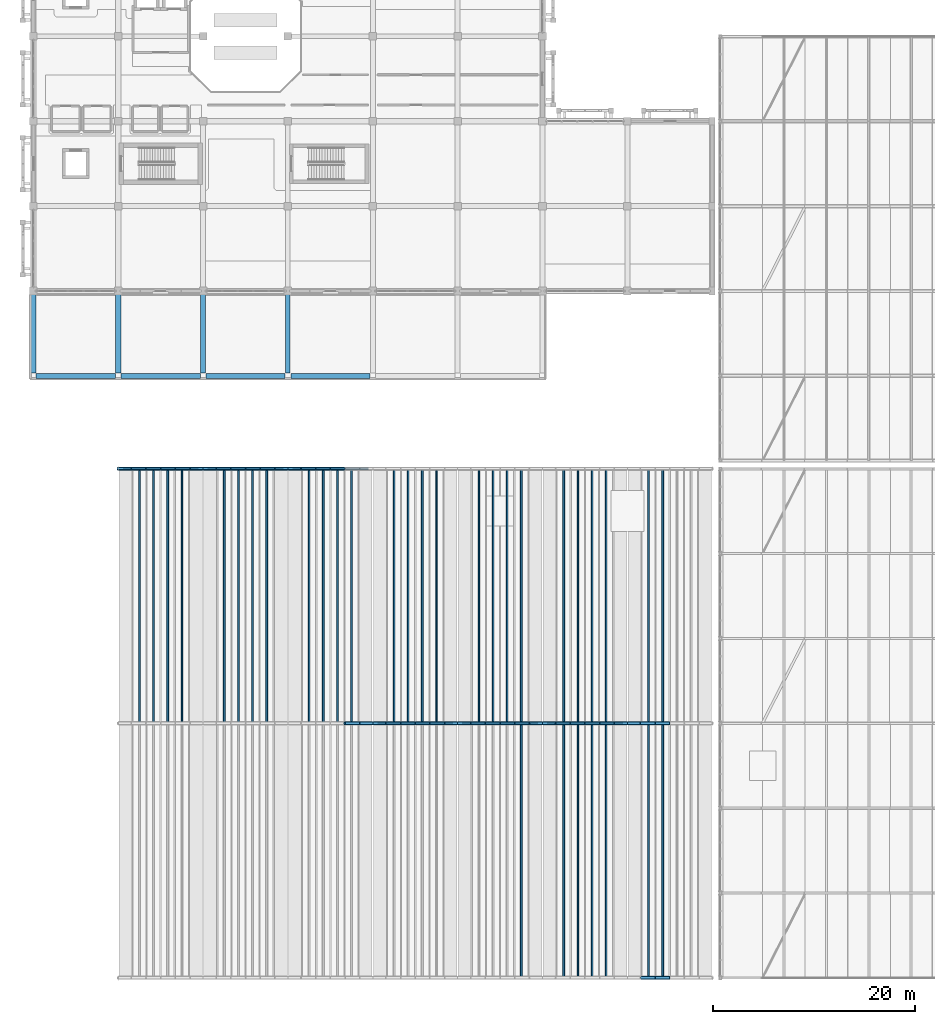
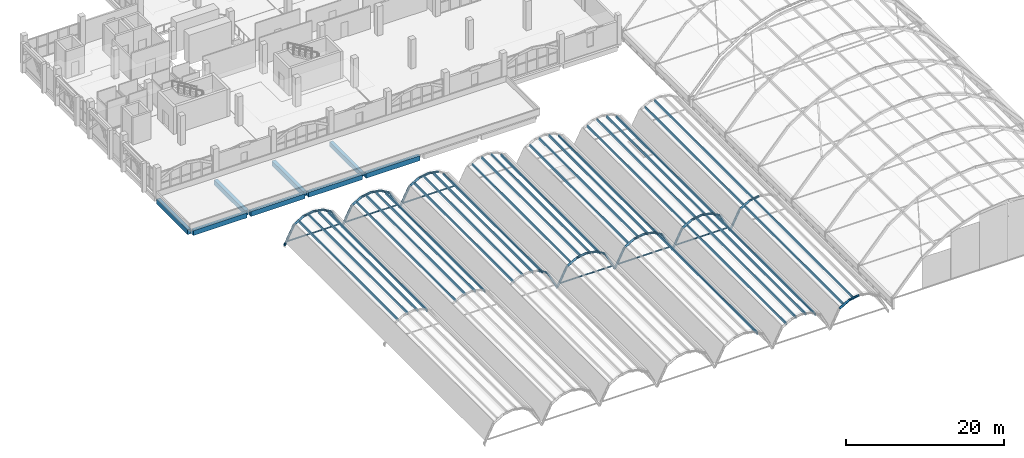
# One storey, part 9 of 114: 55 beams, 33 members.
"""IFC4 building model written with IfcOpenShell, lengths in metres."""

from ifc_helpers import new_model, si_unit, direction, frame, origin, origin_2d, place, context, subcontext, project, spatial, rectangle, hollow_circle, extrude, material, material_profile, profile_set, type_object, element, save


model = new_model("IFC4")

# Units and contexts
model_context = context("Model", 3, precision=1e-05, world=origin(), true_north=direction((0.0, 1.0)))
body_context = subcontext(model_context, "Body", "Model", "MODEL_VIEW")
ifc_project = project(units=[si_unit("LENGTHUNIT", "METRE"), si_unit("AREAUNIT", "SQUARE_METRE"), si_unit("VOLUMEUNIT", "CUBIC_METRE"), si_unit("PLANEANGLEUNIT", "RADIAN"), si_unit("MASSUNIT", "GRAM", prefix="KILO")], contexts=[model_context])

# Site, building, storey
site_placement = place(None, origin())
site = spatial("IfcSite", under=ifc_project, at=site_placement, CompositionType="ELEMENT")
building_placement = place(site_placement, origin())
building = spatial("IfcBuilding", under=site, at=building_placement, Name="Xazarin Passage Department Store", CompositionType="ELEMENT")
storey_placement = place(building_placement, frame((0.0, 0.0, 14.39990234375)))
storey = spatial("IfcBuildingStorey", under=building, at=storey_placement, Name="L03", CompositionType="ELEMENT", Elevation=14.39990234375)

# Beams
ifc_material_1 = material(Name="Steel S355", Category="steel")
ifc_material_profile_1 = material_profile(ifc_material_1, hollow_circle(Radius=0.161865234375, WallThickness=0.01611328125, at=origin_2d()), Name="CHS 323.9x16")
ifc_profile_set_1 = profile_set([ifc_material_profile_1], Name="Steel S355")
beam_type_1 = type_object("IfcBeamType", Name="STR-BM-AR324", PredefinedType="BEAM", material=ifc_profile_set_1)
beam_1_placement = place(storey_placement, frame((8.39990234375, 50.39990234375, 0.0), z_axis=(0.45532507494, 0.0, 0.890325264233), x_axis=(0.0, 1.0, 0.0)))
element("IfcBeam", 1, at=beam_1_placement, inside=storey, type_object=beam_type_1, Name="L03 V3 Curved Shell Arch Rib 1.3.1", PredefinedType="BEAM", context=body_context, shape_type="SweptSolid", body=[
    extrude(hollow_circle(Radius=0.161865234375, WallThickness=0.01611328125, at=origin_2d()), origin(), (0.0, 0.0, 1.0), 3.074951171875),
])
beam_2_placement = place(storey_placement, frame((9.800048828125, 50.39990234375, 2.73779296875), z_axis=(0.861930350886, 0.0, 0.507026695769), x_axis=(0.0, 1.0, 0.0)))
element("IfcBeam", 2, at=beam_2_placement, inside=storey, type_object=beam_type_1, Name="L03 V3 Curved Shell Arch Rib 1.3.2", PredefinedType="BEAM", context=body_context, shape_type="SweptSolid", body=[
    extrude(hollow_circle(Radius=0.161865234375, WallThickness=0.01611328125, at=origin_2d()), origin(), (0.0, 0.0, 1.0), 1.624267578125),
])
beam_3_placement = place(storey_placement, frame((11.199951171875, 50.39990234375, 3.561279296875), z_axis=(0.985769095159, 0.0, 0.168105000011), x_axis=(0.0, 1.0, 0.0)))
element("IfcBeam", 3, at=beam_3_placement, inside=storey, type_object=beam_type_1, Name="L03 V3 Curved Shell Arch Rib 1.3.3", PredefinedType="BEAM", context=body_context, shape_type="SweptSolid", body=[
    extrude(hollow_circle(Radius=0.161865234375, WallThickness=0.01611328125, at=origin_2d()), origin(), (0.0, 0.0, 1.0), 1.42041015625),
])
beam_4_placement = place(storey_placement, frame((12.60009765625, 50.39990234375, 3.800048828125), z_axis=(0.985764236534, 0.0, -0.168133488547), x_axis=(0.0, 1.0, 0.0)))
element("IfcBeam", 4, at=beam_4_placement, inside=storey, type_object=beam_type_1, Name="L03 V3 Curved Shell Arch Rib 1.3.4", PredefinedType="BEAM", context=body_context, shape_type="SweptSolid", body=[
    extrude(hollow_circle(Radius=0.161865234375, WallThickness=0.01611328125, at=origin_2d()), origin(), (0.0, 0.0, 1.0), 1.420166015625),
])
beam_5_placement = place(storey_placement, frame((14.0, 50.39990234375, 3.561279296875), z_axis=(0.861930350886, 0.0, -0.507026695769), x_axis=(0.0, 1.0, 0.0)))
element("IfcBeam", 5, at=beam_5_placement, inside=storey, type_object=beam_type_1, Name="L03 V3 Curved Shell Arch Rib 1.3.5", PredefinedType="BEAM", context=body_context, shape_type="SweptSolid", body=[
    extrude(hollow_circle(Radius=0.161865234375, WallThickness=0.01611328125, at=origin_2d()), origin(), (0.0, 0.0, 1.0), 1.624267578125),
])
for number, where, z_axis, x_axis, name in (
    (6, (15.39990234375, 50.39990234375, 2.73779296875), (0.45532507494, 0.0, -0.890325264233), (0.0, 1.0, 0.0), "L03 V3 Curved Shell Arch Rib 1.3.6"),
    (7, (16.800048828125, 50.39990234375, 0.0), (0.455262137498, 0.0, 0.890357448535), (0.0, 1.0, 0.0), "L03 V3 Curved Shell Arch Rib 2.3.1"),
):
    element("IfcBeam", number, at=place(storey_placement, frame(where, z_axis=z_axis, x_axis=x_axis)), inside=storey, type_object=beam_type_1, Name=name, PredefinedType="BEAM", context=body_context, shape_type="SweptSolid", body=[
        extrude(hollow_circle(Radius=0.161865234375, WallThickness=0.01611328125, at=origin_2d()), origin(), (0.0, 0.0, 1.0), 3.074951171875),
    ])
beam_6_placement = place(storey_placement, frame((18.199951171875, 50.39990234375, 2.73779296875), z_axis=(0.861968986848, 0.0, 0.506961010051), x_axis=(0.0, 1.0, 0.0)))
element("IfcBeam", 8, at=beam_6_placement, inside=storey, type_object=beam_type_1, Name="L03 V3 Curved Shell Arch Rib 2.3.2", PredefinedType="BEAM", context=body_context, shape_type="SweptSolid", body=[
    extrude(hollow_circle(Radius=0.161865234375, WallThickness=0.01611328125, at=origin_2d()), origin(), (0.0, 0.0, 1.0), 1.624267578125),
])
for number, where, z_axis, x_axis, name in (
    (9, (19.60009765625, 50.39990234375, 3.561279296875), (0.985764236534, 0.0, 0.168133488547), (0.0, 1.0, 0.0), "L03 V3 Curved Shell Arch Rib 2.3.3"),
    (10, (21.0, 50.39990234375, 3.800048828125), (0.985764236534, 0.0, -0.168133488547), (0.0, 1.0, 0.0), "L03 V3 Curved Shell Arch Rib 2.3.4"),
):
    element("IfcBeam", number, at=place(storey_placement, frame(where, z_axis=z_axis, x_axis=x_axis)), inside=storey, type_object=beam_type_1, Name=name, PredefinedType="BEAM", context=body_context, shape_type="SweptSolid", body=[
        extrude(hollow_circle(Radius=0.161865234375, WallThickness=0.01611328125, at=origin_2d()), origin(), (0.0, 0.0, 1.0), 1.420166015625),
    ])
beam_7_placement = place(storey_placement, frame((22.39990234375, 50.39990234375, 3.561279296875), z_axis=(0.861968986848, 0.0, -0.506961010051), x_axis=(0.0, 1.0, 0.0)))
element("IfcBeam", 11, at=beam_7_placement, inside=storey, type_object=beam_type_1, Name="L03 V3 Curved Shell Arch Rib 2.3.5", PredefinedType="BEAM", context=body_context, shape_type="SweptSolid", body=[
    extrude(hollow_circle(Radius=0.161865234375, WallThickness=0.01611328125, at=origin_2d()), origin(), (0.0, 0.0, 1.0), 1.624267578125),
])
beam_8_placement = place(storey_placement, frame((23.800048828125, 50.39990234375, 2.73779296875), z_axis=(0.455262137498, 0.0, -0.890357448535), x_axis=(0.0, 1.0, 0.0)))
element("IfcBeam", 12, at=beam_8_placement, inside=storey, type_object=beam_type_1, Name="L03 V3 Curved Shell Arch Rib 2.3.6", PredefinedType="BEAM", context=body_context, shape_type="SweptSolid", body=[
    extrude(hollow_circle(Radius=0.161865234375, WallThickness=0.01611328125, at=origin_2d()), origin(), (0.0, 0.0, 1.0), 3.074951171875),
])
beam_9_placement = place(storey_placement, frame((30.800048828125, 25.199951171875, 3.561279296875), z_axis=(0.861930350886, 0.0, -0.507026695769), x_axis=(0.0, 1.0, 0.0)))
element("IfcBeam", 13, at=beam_9_placement, inside=storey, type_object=beam_type_1, Name="L03 V3 Curved Shell Arch Rib 3.2.5", PredefinedType="BEAM", context=body_context, shape_type="SweptSolid", body=[
    extrude(hollow_circle(Radius=0.161865234375, WallThickness=0.01611328125, at=origin_2d()), origin(), (0.0, 0.0, 1.0), 1.624267578125),
])
for number, where, z_axis, x_axis, name in (
    (14, (32.199951171875, 25.199951171875, 2.73779296875), (0.45532507494, 0.0, -0.890325264233), (0.0, 1.0, 0.0), "L03 V3 Curved Shell Arch Rib 3.2.6"),
    (15, (25.199951171875, 50.39990234375, 0.0), (0.45532507494, 0.0, 0.890325264233), (0.0, 1.0, 0.0), "L03 V3 Curved Shell Arch Rib 3.3.1"),
):
    element("IfcBeam", number, at=place(storey_placement, frame(where, z_axis=z_axis, x_axis=x_axis)), inside=storey, type_object=beam_type_1, Name=name, PredefinedType="BEAM", context=body_context, shape_type="SweptSolid", body=[
        extrude(hollow_circle(Radius=0.161865234375, WallThickness=0.01611328125, at=origin_2d()), origin(), (0.0, 0.0, 1.0), 3.074951171875),
    ])
beam_10_placement = place(storey_placement, frame((26.60009765625, 50.39990234375, 2.73779296875), z_axis=(0.861930350886, 0.0, 0.507026695769), x_axis=(0.0, 1.0, 0.0)))
element("IfcBeam", 16, at=beam_10_placement, inside=storey, type_object=beam_type_1, Name="L03 V3 Curved Shell Arch Rib 3.3.2", PredefinedType="BEAM", context=body_context, shape_type="SweptSolid", body=[
    extrude(hollow_circle(Radius=0.161865234375, WallThickness=0.01611328125, at=origin_2d()), origin(), (0.0, 0.0, 1.0), 1.624267578125),
])
beam_11_placement = place(storey_placement, frame((28.0, 50.39990234375, 3.561279296875), z_axis=(0.985764236534, 0.0, 0.168133488547), x_axis=(0.0, 1.0, 0.0)))
element("IfcBeam", 17, at=beam_11_placement, inside=storey, type_object=beam_type_1, Name="L03 V3 Curved Shell Arch Rib 3.3.3", PredefinedType="BEAM", context=body_context, shape_type="SweptSolid", body=[
    extrude(hollow_circle(Radius=0.161865234375, WallThickness=0.01611328125, at=origin_2d()), origin(), (0.0, 0.0, 1.0), 1.420166015625),
])
beam_12_placement = place(storey_placement, frame((29.39990234375, 50.39990234375, 3.800048828125), z_axis=(0.985769095159, 0.0, -0.168105000011), x_axis=(0.0, 1.0, 0.0)))
element("IfcBeam", 18, at=beam_12_placement, inside=storey, type_object=beam_type_1, Name="L03 V3 Curved Shell Arch Rib 3.3.4", PredefinedType="BEAM", context=body_context, shape_type="SweptSolid", body=[
    extrude(hollow_circle(Radius=0.161865234375, WallThickness=0.01611328125, at=origin_2d()), origin(), (0.0, 0.0, 1.0), 1.42041015625),
])
beam_13_placement = place(storey_placement, frame((33.60009765625, 25.199951171875, 0.0), z_axis=(0.455262137498, 0.0, 0.890357448535), x_axis=(0.0, 1.0, 0.0)))
element("IfcBeam", 19, at=beam_13_placement, inside=storey, type_object=beam_type_1, Name="L03 V3 Curved Shell Arch Rib 4.2.1", PredefinedType="BEAM", context=body_context, shape_type="SweptSolid", body=[
    extrude(hollow_circle(Radius=0.161865234375, WallThickness=0.01611328125, at=origin_2d()), origin(), (0.0, 0.0, 1.0), 3.074951171875),
])
beam_14_placement = place(storey_placement, frame((35.0, 25.199951171875, 2.73779296875), z_axis=(0.861930350886, 0.0, 0.507026695769), x_axis=(0.0, 1.0, 0.0)))
element("IfcBeam", 20, at=beam_14_placement, inside=storey, type_object=beam_type_1, Name="L03 V3 Curved Shell Arch Rib 4.2.2", PredefinedType="BEAM", context=body_context, shape_type="SweptSolid", body=[
    extrude(hollow_circle(Radius=0.161865234375, WallThickness=0.01611328125, at=origin_2d()), origin(), (0.0, 0.0, 1.0), 1.624267578125),
])
beam_15_placement = place(storey_placement, frame((36.39990234375, 25.199951171875, 3.561279296875), z_axis=(0.985769095159, 0.0, 0.168105000011), x_axis=(0.0, 1.0, 0.0)))
element("IfcBeam", 21, at=beam_15_placement, inside=storey, type_object=beam_type_1, Name="L03 V3 Curved Shell Arch Rib 4.2.3", PredefinedType="BEAM", context=body_context, shape_type="SweptSolid", body=[
    extrude(hollow_circle(Radius=0.161865234375, WallThickness=0.01611328125, at=origin_2d()), origin(), (0.0, 0.0, 1.0), 1.42041015625),
])
beam_16_placement = place(storey_placement, frame((37.800048828125, 25.199951171875, 3.800048828125), z_axis=(0.985764236534, 0.0, -0.168133488547), x_axis=(0.0, 1.0, 0.0)))
element("IfcBeam", 22, at=beam_16_placement, inside=storey, type_object=beam_type_1, Name="L03 V3 Curved Shell Arch Rib 4.2.4", PredefinedType="BEAM", context=body_context, shape_type="SweptSolid", body=[
    extrude(hollow_circle(Radius=0.161865234375, WallThickness=0.01611328125, at=origin_2d()), origin(), (0.0, 0.0, 1.0), 1.420166015625),
])
beam_17_placement = place(storey_placement, frame((39.199951171875, 25.199951171875, 3.561279296875), z_axis=(0.861968986848, 0.0, -0.506961010051), x_axis=(0.0, 1.0, 0.0)))
element("IfcBeam", 23, at=beam_17_placement, inside=storey, type_object=beam_type_1, Name="L03 V3 Curved Shell Arch Rib 4.2.5", PredefinedType="BEAM", context=body_context, shape_type="SweptSolid", body=[
    extrude(hollow_circle(Radius=0.161865234375, WallThickness=0.01611328125, at=origin_2d()), origin(), (0.0, 0.0, 1.0), 1.624267578125),
])
for number, where, z_axis, x_axis, name in (
    (24, (40.60009765625, 25.199951171875, 2.73779296875), (0.455262137498, 0.0, -0.890357448535), (0.0, 1.0, 0.0), "L03 V3 Curved Shell Arch Rib 4.2.6"),
    (25, (42.0, 25.199951171875, 0.0), (0.455262137498, 0.0, 0.890357448535), (0.0, 1.0, 0.0), "L03 V3 Curved Shell Arch Rib 5.2.1"),
):
    element("IfcBeam", number, at=place(storey_placement, frame(where, z_axis=z_axis, x_axis=x_axis)), inside=storey, type_object=beam_type_1, Name=name, PredefinedType="BEAM", context=body_context, shape_type="SweptSolid", body=[
        extrude(hollow_circle(Radius=0.161865234375, WallThickness=0.01611328125, at=origin_2d()), origin(), (0.0, 0.0, 1.0), 3.074951171875),
    ])
beam_18_placement = place(storey_placement, frame((43.39990234375, 25.199951171875, 2.73779296875), z_axis=(0.861968986848, 0.0, 0.506961010051), x_axis=(0.0, 1.0, 0.0)))
element("IfcBeam", 26, at=beam_18_placement, inside=storey, type_object=beam_type_1, Name="L03 V3 Curved Shell Arch Rib 5.2.2", PredefinedType="BEAM", context=body_context, shape_type="SweptSolid", body=[
    extrude(hollow_circle(Radius=0.161865234375, WallThickness=0.01611328125, at=origin_2d()), origin(), (0.0, 0.0, 1.0), 1.624267578125),
])
beam_19_placement = place(storey_placement, frame((44.800048828125, 25.199951171875, 3.561279296875), z_axis=(0.985764236534, 0.0, 0.168133488547), x_axis=(0.0, 1.0, 0.0)))
element("IfcBeam", 27, at=beam_19_placement, inside=storey, type_object=beam_type_1, Name="L03 V3 Curved Shell Arch Rib 5.2.3", PredefinedType="BEAM", context=body_context, shape_type="SweptSolid", body=[
    extrude(hollow_circle(Radius=0.161865234375, WallThickness=0.01611328125, at=origin_2d()), origin(), (0.0, 0.0, 1.0), 1.420166015625),
])
beam_20_placement = place(storey_placement, frame((46.199951171875, 25.199951171875, 3.800048828125), z_axis=(0.985769095159, 0.0, -0.168105000011), x_axis=(0.0, 1.0, 0.0)))
element("IfcBeam", 28, at=beam_20_placement, inside=storey, type_object=beam_type_1, Name="L03 V3 Curved Shell Arch Rib 5.2.4", PredefinedType="BEAM", context=body_context, shape_type="SweptSolid", body=[
    extrude(hollow_circle(Radius=0.161865234375, WallThickness=0.01611328125, at=origin_2d()), origin(), (0.0, 0.0, 1.0), 1.42041015625),
])
beam_21_placement = place(storey_placement, frame((47.60009765625, 25.199951171875, 3.561279296875), z_axis=(0.861930350886, 0.0, -0.507026695769), x_axis=(0.0, 1.0, 0.0)))
element("IfcBeam", 29, at=beam_21_placement, inside=storey, type_object=beam_type_1, Name="L03 V3 Curved Shell Arch Rib 5.2.5", PredefinedType="BEAM", context=body_context, shape_type="SweptSolid", body=[
    extrude(hollow_circle(Radius=0.161865234375, WallThickness=0.01611328125, at=origin_2d()), origin(), (0.0, 0.0, 1.0), 1.624267578125),
])
for number, where, z_axis, x_axis, name in (
    (30, (49.0, 25.199951171875, 2.73779296875), (0.455262137498, 0.0, -0.890357448535), (0.0, 1.0, 0.0), "L03 V3 Curved Shell Arch Rib 5.2.6"),
    (31, (50.39990234375, 25.199951171875, 0.0), (0.45532507494, 0.0, 0.890325264233), (0.0, 1.0, 0.0), "L03 V3 Curved Shell Arch Rib 6.2.1"),
):
    element("IfcBeam", number, at=place(storey_placement, frame(where, z_axis=z_axis, x_axis=x_axis)), inside=storey, type_object=beam_type_1, Name=name, PredefinedType="BEAM", context=body_context, shape_type="SweptSolid", body=[
        extrude(hollow_circle(Radius=0.161865234375, WallThickness=0.01611328125, at=origin_2d()), origin(), (0.0, 0.0, 1.0), 3.074951171875),
    ])
beam_22_placement = place(storey_placement, frame((51.800048828125, 25.199951171875, 2.73779296875), z_axis=(0.861930350886, 0.0, 0.507026695769), x_axis=(0.0, 1.0, 0.0)))
element("IfcBeam", 32, at=beam_22_placement, inside=storey, type_object=beam_type_1, Name="L03 V3 Curved Shell Arch Rib 6.2.2", PredefinedType="BEAM", context=body_context, shape_type="SweptSolid", body=[
    extrude(hollow_circle(Radius=0.161865234375, WallThickness=0.01611328125, at=origin_2d()), origin(), (0.0, 0.0, 1.0), 1.624267578125),
])
beam_23_placement = place(storey_placement, frame((53.199951171875, 25.199951171875, 3.561279296875), z_axis=(0.985769095159, 0.0, 0.168105000011), x_axis=(0.0, 1.0, 0.0)))
element("IfcBeam", 33, at=beam_23_placement, inside=storey, type_object=beam_type_1, Name="L03 V3 Curved Shell Arch Rib 6.2.3", PredefinedType="BEAM", context=body_context, shape_type="SweptSolid", body=[
    extrude(hollow_circle(Radius=0.161865234375, WallThickness=0.01611328125, at=origin_2d()), origin(), (0.0, 0.0, 1.0), 1.42041015625),
])
beam_24_placement = place(storey_placement, frame((54.60009765625, 25.199951171875, 3.800048828125), z_axis=(0.985764236534, 0.0, -0.168133488547), x_axis=(0.0, 1.0, 0.0)))
element("IfcBeam", 34, at=beam_24_placement, inside=storey, type_object=beam_type_1, Name="L03 V3 Curved Shell Arch Rib 6.2.4", PredefinedType="BEAM", context=body_context, shape_type="SweptSolid", body=[
    extrude(hollow_circle(Radius=0.161865234375, WallThickness=0.01611328125, at=origin_2d()), origin(), (0.0, 0.0, 1.0), 1.420166015625),
])
beam_25_placement = place(storey_placement, frame((56.0, 25.199951171875, 3.561279296875), z_axis=(0.861930350886, 0.0, -0.507026695769), x_axis=(0.0, 1.0, 0.0)))
element("IfcBeam", 35, at=beam_25_placement, inside=storey, type_object=beam_type_1, Name="L03 V3 Curved Shell Arch Rib 6.2.5", PredefinedType="BEAM", context=body_context, shape_type="SweptSolid", body=[
    extrude(hollow_circle(Radius=0.161865234375, WallThickness=0.01611328125, at=origin_2d()), origin(), (0.0, 0.0, 1.0), 1.624267578125),
])
beam_26_placement = place(storey_placement, frame((57.39990234375, 25.199951171875, 2.73779296875), z_axis=(0.45532507494, 0.0, -0.890325264233), x_axis=(0.0, 1.0, 0.0)))
element("IfcBeam", 36, at=beam_26_placement, inside=storey, type_object=beam_type_1, Name="L03 V3 Curved Shell Arch Rib 6.2.6", PredefinedType="BEAM", context=body_context, shape_type="SweptSolid", body=[
    extrude(hollow_circle(Radius=0.161865234375, WallThickness=0.01611328125, at=origin_2d()), origin(), (0.0, 0.0, 1.0), 3.074951171875),
])
beam_27_placement = place(storey_placement, frame((60.199951171875, 0.0, 2.73779296875), z_axis=(0.861968986848, 0.0, 0.506961010051), x_axis=(0.0, 1.0, 0.0)))
element("IfcBeam", 37, at=beam_27_placement, inside=storey, type_object=beam_type_1, Name="L03 V3 Curved Shell Arch Rib 7.1.2", PredefinedType="BEAM", context=body_context, shape_type="SweptSolid", body=[
    extrude(hollow_circle(Radius=0.161865234375, WallThickness=0.01611328125, at=origin_2d()), origin(), (0.0, 0.0, 1.0), 1.624267578125),
])
beam_28_placement = place(storey_placement, frame((61.60009765625, 0.0, 3.561279296875), z_axis=(0.985764236534, 0.0, 0.168133488547), x_axis=(0.0, 1.0, 0.0)))
element("IfcBeam", 38, at=beam_28_placement, inside=storey, type_object=beam_type_1, Name="L03 V3 Curved Shell Arch Rib 7.1.3", PredefinedType="BEAM", context=body_context, shape_type="SweptSolid", body=[
    extrude(hollow_circle(Radius=0.161865234375, WallThickness=0.01611328125, at=origin_2d()), origin(), (0.0, 0.0, 1.0), 1.420166015625),
])
beam_29_placement = place(storey_placement, frame((58.800048828125, 25.199951171875, 0.0), z_axis=(0.455262137498, 0.0, 0.890357448535), x_axis=(0.0, 1.0, 0.0)))
element("IfcBeam", 39, at=beam_29_placement, inside=storey, type_object=beam_type_1, Name="L03 V3 Curved Shell Arch Rib 7.2.1", PredefinedType="BEAM", context=body_context, shape_type="SweptSolid", body=[
    extrude(hollow_circle(Radius=0.161865234375, WallThickness=0.01611328125, at=origin_2d()), origin(), (0.0, 0.0, 1.0), 3.074951171875),
])
beam_30_placement = place(storey_placement, frame((60.199951171875, 25.199951171875, 2.73779296875), z_axis=(0.861968986848, 0.0, 0.506961010051), x_axis=(0.0, 1.0, 0.0)))
element("IfcBeam", 40, at=beam_30_placement, inside=storey, type_object=beam_type_1, Name="L03 V3 Curved Shell Arch Rib 7.2.2", PredefinedType="BEAM", context=body_context, shape_type="SweptSolid", body=[
    extrude(hollow_circle(Radius=0.161865234375, WallThickness=0.01611328125, at=origin_2d()), origin(), (0.0, 0.0, 1.0), 1.624267578125),
])
beam_31_placement = place(storey_placement, frame((61.60009765625, 25.199951171875, 3.561279296875), z_axis=(0.985764236534, 0.0, 0.168133488547), x_axis=(0.0, 1.0, 0.0)))
element("IfcBeam", 41, at=beam_31_placement, inside=storey, type_object=beam_type_1, Name="L03 V3 Curved Shell Arch Rib 7.2.3", PredefinedType="BEAM", context=body_context, shape_type="SweptSolid", body=[
    extrude(hollow_circle(Radius=0.161865234375, WallThickness=0.01611328125, at=origin_2d()), origin(), (0.0, 0.0, 1.0), 1.420166015625),
])
ifc_material_2 = material(Name="Concrete C35/45", Category="concrete")
ifc_material_profile_2 = material_profile(ifc_material_2, rectangle(XDim=0.449951171875, YDim=0.699951171875, at=origin_2d()), Name="RC 450x700")
ifc_profile_set_2 = profile_set([ifc_material_profile_2], Name="Concrete C35/45")
beam_type_2 = type_object("IfcBeamType", Name="STR-BM-G450x700", PredefinedType="BEAM", material=ifc_profile_set_2)
beam_32_placement = place(storey_placement, frame((25.199951171875, 59.8798828125, -0.64990234375), z_axis=(0.0, 1.0, 0.0), x_axis=(-1.0, 0.0, 0.0)))
element("IfcBeam", 42, at=beam_32_placement, inside=storey, type_object=beam_type_2, Name="L03 Grid Beam 4/J-K", PredefinedType="BEAM", context=body_context, shape_type="SweptSolid", body=[
    extrude(rectangle(XDim=0.449951171875, YDim=0.699951171875, at=origin_2d()), origin(), (0.0, 0.0, 1.0), 7.840087890625),
])
ifc_material_profile_3 = material_profile(ifc_material_2, rectangle(XDim=0.5, YDim=0.75, at=origin_2d()), Name="RC 500x750")
ifc_profile_set_3 = profile_set([ifc_material_profile_3], Name="Concrete C35/45")
beam_type_3 = type_object("IfcBeamType", Name="STR-BM-SP500x750", PredefinedType="SPANDREL", material=ifc_profile_set_3)
for number, where, z_axis, x_axis, name in (
    (43, (0.280029296875, 59.60009765625, -0.6748046875), (1.0, 0.0, 0.0), (0.0, 1.0, 0.0), "L03 Grid Beam J/1-2"),
    (44, (8.679931640625, 59.60009765625, -0.6748046875), (1.0, 0.0, 0.0), (0.0, 1.0, 0.0), "L03 Grid Beam J/2-3"),
):
    element("IfcBeam", number, at=place(storey_placement, frame(where, z_axis=z_axis, x_axis=x_axis)), inside=storey, type_object=beam_type_3, Name=name, PredefinedType="SPANDREL", context=body_context, shape_type="SweptSolid", body=[
        extrude(rectangle(XDim=0.5, YDim=0.75, at=origin_2d()), origin(), (0.0, 0.0, 1.0), 7.840087890625),
    ])
beam_33_placement = place(storey_placement, frame((17.080078125, 59.60009765625, -0.6748046875), z_axis=(1.0, 0.0, 0.0), x_axis=(0.0, 1.0, 0.0)))
element("IfcBeam", 45, at=beam_33_placement, inside=storey, type_object=beam_type_3, Name="L03 Grid Beam J/3-4", PredefinedType="SPANDREL", context=body_context, shape_type="SweptSolid", body=[
    extrude(rectangle(XDim=0.5, YDim=0.75, at=origin_2d()), origin(), (0.0, 0.0, 1.0), 7.83984375),
])
for number, where, z_axis, x_axis, name in (
    (46, (25.47998046875, 59.60009765625, -0.6748046875), (1.0, 0.0, 0.0), (0.0, 1.0, 0.0), "L03 Grid Beam J/4-5"),
    (47, (0.0, 59.8798828125, -0.6748046875), (0.0, 1.0, 0.0), (-1.0, 0.0, 0.0), "L03 Grid Beam 1/J-K"),
    (48, (8.39990234375, 59.8798828125, -0.6748046875), (0.0, 1.0, 0.0), (-1.0, 0.0, 0.0), "L03 Grid Beam 2/J-K"),
    (49, (16.800048828125, 59.8798828125, -0.6748046875), (0.0, 1.0, 0.0), (-1.0, 0.0, 0.0), "L03 Grid Beam 3/J-K"),
):
    element("IfcBeam", number, at=place(storey_placement, frame(where, z_axis=z_axis, x_axis=x_axis)), inside=storey, type_object=beam_type_3, Name=name, PredefinedType="SPANDREL", context=body_context, shape_type="SweptSolid", body=[
        extrude(rectangle(XDim=0.5, YDim=0.75, at=origin_2d()), origin(), (0.0, 0.0, 1.0), 7.840087890625),
    ])
ifc_material_profile_4 = material_profile(ifc_material_1, hollow_circle(Radius=0.109619140625, WallThickness=0.012451171875, at=origin_2d()), Name="CHS 219.1x12.5")
ifc_profile_set_4 = profile_set([ifc_material_profile_4], Name="Steel S355")
beam_type_4 = type_object("IfcBeamType", Name="STR-BM-TIE219", PredefinedType="BEAM", material=ifc_profile_set_4)
for number, where, z_axis, x_axis, name in (
    (50, (8.85009765625, 50.39990234375, 0.52001953125), (1.0, 0.0, 0.0), (0.0, 1.0, 0.0), "L03 V3 Barrel Shell Tie 1.3"),
    (51, (17.25, 50.39990234375, 0.52001953125), (1.0, 0.0, 0.0), (0.0, 1.0, 0.0), "L03 V3 Barrel Shell Tie 2.3"),
    (52, (25.64990234375, 50.39990234375, 0.52001953125), (1.0, 0.0, 0.0), (0.0, 1.0, 0.0), "L03 V3 Barrel Shell Tie 3.3"),
    (53, (34.050048828125, 25.199951171875, 0.52001953125), (1.0, 0.0, 0.0), (0.0, 1.0, 0.0), "L03 V3 Barrel Shell Tie 4.2"),
    (54, (42.449951171875, 25.199951171875, 0.52001953125), (1.0, 0.0, 0.0), (0.0, 1.0, 0.0), "L03 V3 Barrel Shell Tie 5.2"),
    (55, (50.85009765625, 25.199951171875, 0.52001953125), (1.0, 0.0, 0.0), (0.0, 1.0, 0.0), "L03 V3 Barrel Shell Tie 6.2"),
):
    element("IfcBeam", number, at=place(storey_placement, frame(where, z_axis=z_axis, x_axis=x_axis)), inside=storey, type_object=beam_type_4, Name=name, PredefinedType="BEAM", context=body_context, shape_type="SweptSolid", body=[
        extrude(hollow_circle(Radius=0.109619140625, WallThickness=0.012451171875, at=origin_2d()), origin(), (0.0, 0.0, 1.0), 7.5),
    ])

# Members
ifc_material_3 = material(Name="Glulam GL28h", Category="wood")
ifc_material_profile_5 = material_profile(ifc_material_3, rectangle(XDim=0.159912109375, YDim=0.360107421875, at=origin_2d()), Name="GL28h 160x360")
ifc_profile_set_5 = profile_set([ifc_material_profile_5], Name="Glulam GL28h")
member_type = type_object("IfcMemberType", Name="STR-MEM-GL360", PredefinedType="PURLIN", material=ifc_profile_set_5)
for number, where, z_axis, x_axis, name in (
    (56, (10.5, 25.25, 3.029296875), (0.0, 1.0, 0.0), (-1.0, 0.0, 0.0), "L03 V3 Barrel Shell Purlin 1.2.2"),
    (57, (11.89990234375, 25.25, 3.560546875), (0.0, 1.0, 0.0), (-1.0, 0.0, 0.0), "L03 V3 Barrel Shell Purlin 1.3.2"),
    (58, (13.300048828125, 25.25, 3.560546875), (0.0, 1.0, 0.0), (-1.0, 0.0, 0.0), "L03 V3 Barrel Shell Purlin 1.4.2"),
    (59, (14.699951171875, 25.25, 3.029296875), (0.0, 1.0, 0.0), (-1.0, 0.0, 0.0), "L03 V3 Barrel Shell Purlin 1.5.2"),
    (60, (18.89990234375, 25.25, 3.029296875), (0.0, 1.0, 0.0), (-1.0, 0.0, 0.0), "L03 V3 Barrel Shell Purlin 2.2.2"),
    (61, (20.300048828125, 25.25, 3.560546875), (0.0, 1.0, 0.0), (-1.0, 0.0, 0.0), "L03 V3 Barrel Shell Purlin 2.3.2"),
    (62, (21.699951171875, 25.25, 3.560546875), (0.0, 1.0, 0.0), (-1.0, 0.0, 0.0), "L03 V3 Barrel Shell Purlin 2.4.2"),
    (63, (23.10009765625, 25.25, 3.029296875), (0.0, 1.0, 0.0), (-1.0, 0.0, 0.0), "L03 V3 Barrel Shell Purlin 2.5.2"),
    (64, (27.300048828125, 25.25, 3.029296875), (0.0, 1.0, 0.0), (-1.0, 0.0, 0.0), "L03 V3 Barrel Shell Purlin 3.2.2"),
    (65, (28.699951171875, 25.25, 3.560546875), (0.0, 1.0, 0.0), (-1.0, 0.0, 0.0), "L03 V3 Barrel Shell Purlin 3.3.2"),
    (66, (30.10009765625, 25.25, 3.560546875), (0.0, 1.0, 0.0), (-1.0, 0.0, 0.0), "L03 V3 Barrel Shell Purlin 3.4.2"),
    (67, (31.5, 25.25, 3.029296875), (0.0, 1.0, 0.0), (-1.0, 0.0, 0.0), "L03 V3 Barrel Shell Purlin 3.5.2"),
    (68, (35.699951171875, 25.25, 3.029296875), (0.0, 1.0, 0.0), (-1.0, 0.0, 0.0), "L03 V3 Barrel Shell Purlin 4.2.2"),
    (69, (37.10009765625, 25.25, 3.560546875), (0.0, 1.0, 0.0), (-1.0, 0.0, 0.0), "L03 V3 Barrel Shell Purlin 4.3.2"),
    (70, (38.5, 25.25, 3.560546875), (0.0, 1.0, 0.0), (-1.0, 0.0, 0.0), "L03 V3 Barrel Shell Purlin 4.4.2"),
    (71, (39.89990234375, 25.25, 3.029296875), (0.0, 1.0, 0.0), (-1.0, 0.0, 0.0), "L03 V3 Barrel Shell Purlin 4.5.2"),
    (72, (44.10009765625, 25.25, 3.029296875), (0.0, 1.0, 0.0), (-1.0, 0.0, 0.0), "L03 V3 Barrel Shell Purlin 5.2.2"),
    (73, (45.5, 25.25, 3.560546875), (0.0, 1.0, 0.0), (-1.0, 0.0, 0.0), "L03 V3 Barrel Shell Purlin 5.3.2"),
    (74, (46.89990234375, 25.25, 3.560546875), (0.0, 1.0, 0.0), (-1.0, 0.0, 0.0), "L03 V3 Barrel Shell Purlin 5.4.2"),
):
    element("IfcMember", number, at=place(storey_placement, frame(where, z_axis=z_axis, x_axis=x_axis)), inside=storey, type_object=member_type, Name=name, PredefinedType="PURLIN", context=body_context, shape_type="SweptSolid", body=[
        extrude(rectangle(XDim=0.159912109375, YDim=0.360107421875, at=origin_2d()), origin(), (0.0, 0.0, 1.0), 25.10009765625),
    ])
member_1_placement = place(storey_placement, frame((48.300048828125, 0.050048828125, 3.029296875), z_axis=(0.0, 1.0, 0.0), x_axis=(-1.0, 0.0, 0.0)))
element("IfcMember", 75, at=member_1_placement, inside=storey, type_object=member_type, Name="L03 V3 Barrel Shell Purlin 5.5.1", PredefinedType="PURLIN", context=body_context, shape_type="SweptSolid", body=[
    extrude(rectangle(XDim=0.159912109375, YDim=0.360107421875, at=origin_2d()), origin(), (0.0, 0.0, 1.0), 25.099853515625),
])
member_2_placement = place(storey_placement, frame((48.300048828125, 25.25, 3.029296875), z_axis=(0.0, 1.0, 0.0), x_axis=(-1.0, 0.0, 0.0)))
element("IfcMember", 76, at=member_2_placement, inside=storey, type_object=member_type, Name="L03 V3 Barrel Shell Purlin 5.5.2", PredefinedType="PURLIN", context=body_context, shape_type="SweptSolid", body=[
    extrude(rectangle(XDim=0.159912109375, YDim=0.360107421875, at=origin_2d()), origin(), (0.0, 0.0, 1.0), 25.10009765625),
])
member_3_placement = place(storey_placement, frame((52.5, 0.050048828125, 3.029296875), z_axis=(0.0, 1.0, 0.0), x_axis=(-1.0, 0.0, 0.0)))
element("IfcMember", 77, at=member_3_placement, inside=storey, type_object=member_type, Name="L03 V3 Barrel Shell Purlin 6.2.1", PredefinedType="PURLIN", context=body_context, shape_type="SweptSolid", body=[
    extrude(rectangle(XDim=0.159912109375, YDim=0.360107421875, at=origin_2d()), origin(), (0.0, 0.0, 1.0), 25.099853515625),
])
member_4_placement = place(storey_placement, frame((52.5, 25.25, 3.029296875), z_axis=(0.0, 1.0, 0.0), x_axis=(-1.0, 0.0, 0.0)))
element("IfcMember", 78, at=member_4_placement, inside=storey, type_object=member_type, Name="L03 V3 Barrel Shell Purlin 6.2.2", PredefinedType="PURLIN", context=body_context, shape_type="SweptSolid", body=[
    extrude(rectangle(XDim=0.159912109375, YDim=0.360107421875, at=origin_2d()), origin(), (0.0, 0.0, 1.0), 25.10009765625),
])
member_5_placement = place(storey_placement, frame((53.89990234375, 0.050048828125, 3.560546875), z_axis=(0.0, 1.0, 0.0), x_axis=(-1.0, 0.0, 0.0)))
element("IfcMember", 79, at=member_5_placement, inside=storey, type_object=member_type, Name="L03 V3 Barrel Shell Purlin 6.3.1", PredefinedType="PURLIN", context=body_context, shape_type="SweptSolid", body=[
    extrude(rectangle(XDim=0.159912109375, YDim=0.360107421875, at=origin_2d()), origin(), (0.0, 0.0, 1.0), 25.099853515625),
])
member_6_placement = place(storey_placement, frame((53.89990234375, 25.25, 3.560546875), z_axis=(0.0, 1.0, 0.0), x_axis=(-1.0, 0.0, 0.0)))
element("IfcMember", 80, at=member_6_placement, inside=storey, type_object=member_type, Name="L03 V3 Barrel Shell Purlin 6.3.2", PredefinedType="PURLIN", context=body_context, shape_type="SweptSolid", body=[
    extrude(rectangle(XDim=0.159912109375, YDim=0.360107421875, at=origin_2d()), origin(), (0.0, 0.0, 1.0), 25.10009765625),
])
member_7_placement = place(storey_placement, frame((55.300048828125, 0.050048828125, 3.560546875), z_axis=(0.0, 1.0, 0.0), x_axis=(-1.0, 0.0, 0.0)))
element("IfcMember", 81, at=member_7_placement, inside=storey, type_object=member_type, Name="L03 V3 Barrel Shell Purlin 6.4.1", PredefinedType="PURLIN", context=body_context, shape_type="SweptSolid", body=[
    extrude(rectangle(XDim=0.159912109375, YDim=0.360107421875, at=origin_2d()), origin(), (0.0, 0.0, 1.0), 25.099853515625),
])
member_8_placement = place(storey_placement, frame((55.300048828125, 25.25, 3.560546875), z_axis=(0.0, 1.0, 0.0), x_axis=(-1.0, 0.0, 0.0)))
element("IfcMember", 82, at=member_8_placement, inside=storey, type_object=member_type, Name="L03 V3 Barrel Shell Purlin 6.4.2", PredefinedType="PURLIN", context=body_context, shape_type="SweptSolid", body=[
    extrude(rectangle(XDim=0.159912109375, YDim=0.360107421875, at=origin_2d()), origin(), (0.0, 0.0, 1.0), 25.10009765625),
])
member_9_placement = place(storey_placement, frame((56.699951171875, 0.050048828125, 3.029296875), z_axis=(0.0, 1.0, 0.0), x_axis=(-1.0, 0.0, 0.0)))
element("IfcMember", 83, at=member_9_placement, inside=storey, type_object=member_type, Name="L03 V3 Barrel Shell Purlin 6.5.1", PredefinedType="PURLIN", context=body_context, shape_type="SweptSolid", body=[
    extrude(rectangle(XDim=0.159912109375, YDim=0.360107421875, at=origin_2d()), origin(), (0.0, 0.0, 1.0), 25.099853515625),
])
member_10_placement = place(storey_placement, frame((56.699951171875, 25.25, 3.029296875), z_axis=(0.0, 1.0, 0.0), x_axis=(-1.0, 0.0, 0.0)))
element("IfcMember", 84, at=member_10_placement, inside=storey, type_object=member_type, Name="L03 V3 Barrel Shell Purlin 6.5.2", PredefinedType="PURLIN", context=body_context, shape_type="SweptSolid", body=[
    extrude(rectangle(XDim=0.159912109375, YDim=0.360107421875, at=origin_2d()), origin(), (0.0, 0.0, 1.0), 25.10009765625),
])
member_11_placement = place(storey_placement, frame((60.89990234375, 0.050048828125, 3.029296875), z_axis=(0.0, 1.0, 0.0), x_axis=(-1.0, 0.0, 0.0)))
element("IfcMember", 85, at=member_11_placement, inside=storey, type_object=member_type, Name="L03 V3 Barrel Shell Purlin 7.2.1", PredefinedType="PURLIN", context=body_context, shape_type="SweptSolid", body=[
    extrude(rectangle(XDim=0.159912109375, YDim=0.360107421875, at=origin_2d()), origin(), (0.0, 0.0, 1.0), 25.099853515625),
])
member_12_placement = place(storey_placement, frame((60.89990234375, 25.25, 3.029296875), z_axis=(0.0, 1.0, 0.0), x_axis=(-1.0, 0.0, 0.0)))
element("IfcMember", 86, at=member_12_placement, inside=storey, type_object=member_type, Name="L03 V3 Barrel Shell Purlin 7.2.2", PredefinedType="PURLIN", context=body_context, shape_type="SweptSolid", body=[
    extrude(rectangle(XDim=0.159912109375, YDim=0.360107421875, at=origin_2d()), origin(), (0.0, 0.0, 1.0), 25.10009765625),
])
member_13_placement = place(storey_placement, frame((62.300048828125, 0.050048828125, 3.560546875), z_axis=(0.0, 1.0, 0.0), x_axis=(-1.0, 0.0, 0.0)))
element("IfcMember", 87, at=member_13_placement, inside=storey, type_object=member_type, Name="L03 V3 Barrel Shell Purlin 7.3.1", PredefinedType="PURLIN", context=body_context, shape_type="SweptSolid", body=[
    extrude(rectangle(XDim=0.159912109375, YDim=0.360107421875, at=origin_2d()), origin(), (0.0, 0.0, 1.0), 25.099853515625),
])
member_14_placement = place(storey_placement, frame((62.300048828125, 25.25, 3.560546875), z_axis=(0.0, 1.0, 0.0), x_axis=(-1.0, 0.0, 0.0)))
element("IfcMember", 88, at=member_14_placement, inside=storey, type_object=member_type, Name="L03 V3 Barrel Shell Purlin 7.3.2", PredefinedType="PURLIN", context=body_context, shape_type="SweptSolid", body=[
    extrude(rectangle(XDim=0.159912109375, YDim=0.360107421875, at=origin_2d()), origin(), (0.0, 0.0, 1.0), 25.10009765625),
])

save(model, "model.ifc")
